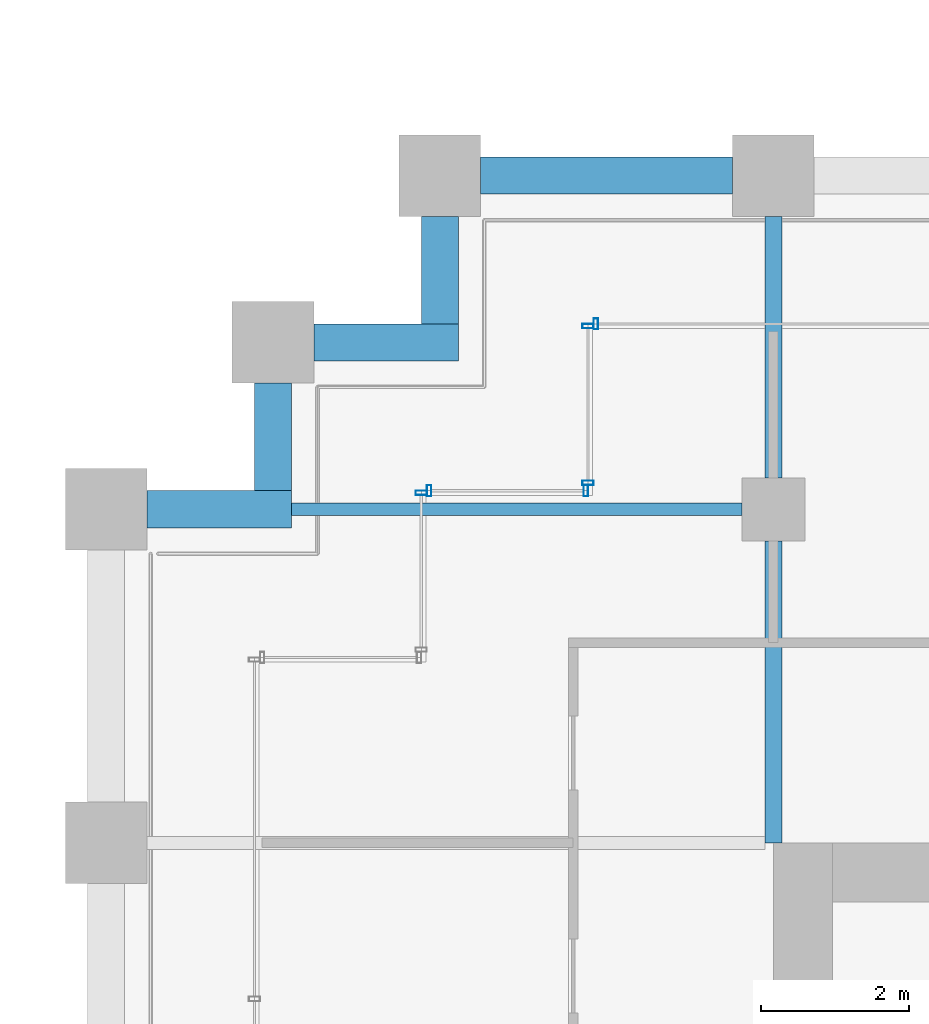
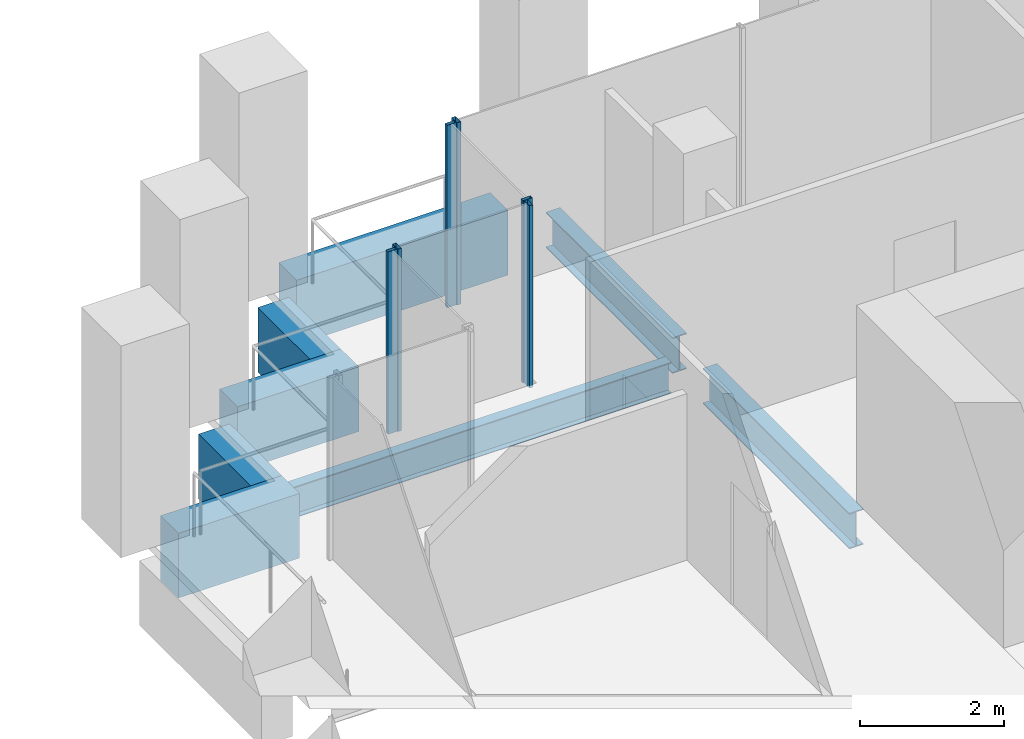
# One storey, part 41 of 56: 8 beams, 6 members, 4 elements without a shape of their own.
"""IFC4 building model written with IfcOpenShell, lengths in metres."""

from ifc_helpers import new_model, si_unit, direction, frame, origin, origin_2d, place, context, subcontext, project, spatial, rectangle, hollow_rectangle, i_section, extrude, material, material_profile, profile_set, type_object, element, aggregate, save


model = new_model("IFC4")

# Units and contexts
model_context = context("Model", 3, precision=1e-05, world=origin(), true_north=direction((0.0, 1.0)))
body_context = subcontext(model_context, "Body", "Model", "MODEL_VIEW")
ifc_project = project(units=[si_unit("LENGTHUNIT", "METRE"), si_unit("AREAUNIT", "SQUARE_METRE"), si_unit("VOLUMEUNIT", "CUBIC_METRE"), si_unit("PLANEANGLEUNIT", "RADIAN"), si_unit("MASSUNIT", "GRAM", prefix="KILO")], contexts=[model_context])

# Site, building, storey
site_placement = place(None, origin())
site = spatial("IfcSite", under=ifc_project, at=site_placement, CompositionType="ELEMENT")
building_placement = place(site_placement, origin())
building = spatial("IfcBuilding", under=site, at=building_placement, Name="Altepetl Exchange Towers", CompositionType="ELEMENT")
storey_placement = place(building_placement, frame((0.0, 0.0, 51.0)))
storey = spatial("IfcBuildingStorey", under=building, at=storey_placement, Name="L11", CompositionType="ELEMENT", Elevation=51.0)

# Beams
ifc_material_1 = material(Name="Steel S355", Category="steel")
ifc_material_profile_1 = material_profile(ifc_material_1, i_section(OverallWidth=0.166015625, OverallDepth=0.529052734375, WebThickness=0.009765625, FlangeThickness=0.013671875, at=origin_2d()), Name="W21X50")
ifc_profile_set_1 = profile_set([ifc_material_profile_1], Name="Steel S355")
beam_type_1 = type_object("IfcBeamType", Name="Floor beam W21X50", PredefinedType="BEAM", material=ifc_profile_set_1)
beam_1_placement = place(storey_placement, frame((97.0, 54.0, -0.41455078125), z_axis=(1.0, 0.0, 0.0), x_axis=(0.0, 1.0, 0.0)))
element("IfcBeam", 1, at=beam_1_placement, inside=storey, type_object=beam_type_1, Name="bm:B:L11:015", PredefinedType="BEAM", context=body_context, shape_type="SweptSolid", body=[
    extrude(i_section(OverallWidth=0.166015625, OverallDepth=0.529052734375, WebThickness=0.009765625, FlangeThickness=0.013671875, at=origin_2d()), origin(), (0.0, 0.0, 1.0), 6.074951171875),
])
ifc_material_profile_2 = material_profile(ifc_material_1, i_section(OverallWidth=0.22802734375, OverallDepth=0.60791015625, WebThickness=0.01123046875, FlangeThickness=0.017333984375, at=origin_2d()), Name="W24X76")
ifc_profile_set_2 = profile_set([ifc_material_profile_2], Name="Steel S355")
beam_type_2 = type_object("IfcBeamType", Name="Girder W24X76", PredefinedType="BEAM", material=ifc_profile_set_2)
beam_2_placement = place(storey_placement, frame((103.5, 57.949951171875, -0.4541015625), z_axis=(0.0, -1.0, 0.0), x_axis=(1.0, 0.0, 0.0)))
element("IfcBeam", 2, at=beam_2_placement, inside=storey, type_object=beam_type_2, Name="gd:B:L11:002", PredefinedType="BEAM", context=body_context, shape_type="SweptSolid", body=[
    extrude(i_section(OverallWidth=0.22802734375, OverallDepth=0.60791015625, WebThickness=0.01123046875, FlangeThickness=0.017333984375, at=origin_2d()), origin(), (0.0, 0.0, 1.0), 3.52490234375),
])
beam_3_placement = place(storey_placement, frame((103.5, 53.574951171875, -0.4541015625), z_axis=(0.0, -1.0, 0.0), x_axis=(1.0, 0.0, 0.0)))
element("IfcBeam", 3, at=beam_3_placement, inside=storey, type_object=beam_type_2, Name="gd:B:L11:003", PredefinedType="BEAM", context=body_context, shape_type="SweptSolid", body=[
    extrude(i_section(OverallWidth=0.22802734375, OverallDepth=0.60791015625, WebThickness=0.01123046875, FlangeThickness=0.017333984375, at=origin_2d()), origin(), (0.0, 0.0, 1.0), 4.074951171875),
])

# Curtain wall, member
ifc_material_2 = material(Name="Aluminium 6063-T6 glazing", Category="aluminium")
curtain_wall_type = type_object("IfcCurtainWallType", Name="Loggia glazing system", PredefinedType="NOTDEFINED", material=ifc_material_2)
curtain_wall_1_placement = place(storey_placement, origin())
curtain_wall_1 = element("IfcCurtainWall", 4, at=curtain_wall_1_placement, inside=storey, type_object=curtain_wall_type, Name="CW1 run", PredefinedType="NOTDEFINED")
ifc_material_3 = material(Name="Aluminium 6063-T6", Category="aluminium")
ifc_material_profile_3 = material_profile(ifc_material_3, hollow_rectangle(XDim=0.06005859375, YDim=0.14990234375, WallThickness=0.0029296875, at=origin_2d()), Name="Mullion 60x150 aluminium")
ifc_profile_set_3 = profile_set([ifc_material_profile_3], Name="Aluminium 6063-T6")
member_type = type_object("IfcMemberType", Name="Mullion 60x150 aluminium", PredefinedType="MULLION", material=ifc_profile_set_3)
member_1_placement = place(storey_placement, frame((101.10498046875, 56.5, 0.0), z_axis=(0.0, 0.0, 1.0), x_axis=(-1.0, 0.0, 0.0)))
member_1 = element("IfcMember", 5, at=member_1_placement, type_object=member_type, Name="MU1 mullion", PredefinedType="MULLION", context=body_context, shape_type="SweptSolid", body=[
    extrude(hollow_rectangle(XDim=0.06005859375, YDim=0.14990234375, WallThickness=0.0029296875, at=origin_2d()), origin(), (0.0, 0.0, 1.0), 3.10009765625),
])
aggregate(curtain_wall_1, [member_1])

# Curtain wall, members
curtain_wall_2_placement = place(storey_placement, origin())
curtain_wall_2 = element("IfcCurtainWall", 6, at=curtain_wall_2_placement, inside=storey, type_object=curtain_wall_type, Name="CW1 run", PredefinedType="NOTDEFINED")
member_2_placement = place(storey_placement, frame((101.0, 56.469970703125, 0.0), z_axis=(0.0, 0.0, 1.0), x_axis=(0.0, -1.0, 0.0)))
member_2 = element("IfcMember", 7, at=member_2_placement, type_object=member_type, Name="MU1 mullion", PredefinedType="MULLION", context=body_context, shape_type="SweptSolid", body=[
    extrude(hollow_rectangle(XDim=0.06005859375, YDim=0.14990234375, WallThickness=0.0029296875, at=origin_2d()), origin(), (0.0, 0.0, 1.0), 3.10009765625),
])
member_3_placement = place(storey_placement, frame((101.0, 54.35498046875, 0.0), z_axis=(0.0, 0.0, 1.0), x_axis=(0.0, -1.0, 0.0)))
member_3 = element("IfcMember", 8, at=member_3_placement, type_object=member_type, Name="MU1 mullion", PredefinedType="MULLION", context=body_context, shape_type="SweptSolid", body=[
    extrude(hollow_rectangle(XDim=0.06005859375, YDim=0.14990234375, WallThickness=0.0029296875, at=origin_2d()), origin(), (0.0, 0.0, 1.0), 3.10009765625),
])
aggregate(curtain_wall_2, [member_2, member_3])

curtain_wall_3_placement = place(storey_placement, origin())
curtain_wall_3 = element("IfcCurtainWall", 9, at=curtain_wall_3_placement, inside=storey, type_object=curtain_wall_type, Name="CW1 run", PredefinedType="NOTDEFINED")
member_4_placement = place(storey_placement, frame((100.969970703125, 54.25, 0.0), z_axis=(0.0, 0.0, 1.0), x_axis=(-1.0, 0.0, 0.0)))
member_4 = element("IfcMember", 10, at=member_4_placement, type_object=member_type, Name="MU1 mullion", PredefinedType="MULLION", context=body_context, shape_type="SweptSolid", body=[
    extrude(hollow_rectangle(XDim=0.06005859375, YDim=0.14990234375, WallThickness=0.0029296875, at=origin_2d()), origin(), (0.0, 0.0, 1.0), 3.10009765625),
])
member_5_placement = place(storey_placement, frame((98.85498046875, 54.25, 0.0), z_axis=(0.0, 0.0, 1.0), x_axis=(-1.0, 0.0, 0.0)))
member_5 = element("IfcMember", 11, at=member_5_placement, type_object=member_type, Name="MU1 mullion", PredefinedType="MULLION", context=body_context, shape_type="SweptSolid", body=[
    extrude(hollow_rectangle(XDim=0.06005859375, YDim=0.14990234375, WallThickness=0.0029296875, at=origin_2d()), origin(), (0.0, 0.0, 1.0), 3.10009765625),
])
aggregate(curtain_wall_3, [member_4, member_5])

# Curtain wall, member
curtain_wall_4_placement = place(storey_placement, origin())
curtain_wall_4 = element("IfcCurtainWall", 12, at=curtain_wall_4_placement, inside=storey, type_object=curtain_wall_type, Name="CW1 run", PredefinedType="NOTDEFINED")
member_6_placement = place(storey_placement, frame((98.75, 54.219970703125, 0.0), z_axis=(0.0, 0.0, 1.0), x_axis=(0.0, -1.0, 0.0)))
member_6 = element("IfcMember", 13, at=member_6_placement, type_object=member_type, Name="MU1 mullion", PredefinedType="MULLION", context=body_context, shape_type="SweptSolid", body=[
    extrude(hollow_rectangle(XDim=0.06005859375, YDim=0.14990234375, WallThickness=0.0029296875, at=origin_2d()), origin(), (0.0, 0.0, 1.0), 3.10009765625),
])
aggregate(curtain_wall_4, [member_6])

# Beams
ifc_material_4 = material(Name="Concrete C50/60 precast with cantera rosa facing", Category="concrete")
ifc_material_profile_4 = material_profile(ifc_material_4, rectangle(XDim=0.5, YDim=1.10009765625, at=origin_2d()), Name="500 x 1100")
ifc_profile_set_4 = profile_set([ifc_material_profile_4], Name="Concrete C50/60 precast with cantera rosa facing")
beam_type_3 = type_object("IfcBeamType", Name="Spandrel beam 500x1100 cantera rosa", PredefinedType="SPANDREL", material=ifc_profile_set_4)
beam_4_placement = place(storey_placement, frame((102.949951171875, 58.5, -0.699951171875), z_axis=(-1.0, 0.0, 0.0), x_axis=(0.0, -1.0, 0.0)))
element("IfcBeam", 14, at=beam_4_placement, inside=storey, type_object=beam_type_3, Name="sp:B:L11:022", PredefinedType="SPANDREL", context=body_context, shape_type="SweptSolid", body=[
    extrude(rectangle(XDim=0.5, YDim=1.10009765625, at=origin_2d()), origin(), (0.0, 0.0, 1.0), 3.39990234375),
])
beam_5_placement = place(storey_placement, frame((99.0, 57.949951171875, -0.699951171875), z_axis=(0.0, -1.0, 0.0), x_axis=(1.0, 0.0, 0.0)))
element("IfcBeam", 15, at=beam_5_placement, inside=storey, type_object=beam_type_3, Name="sp:B:L11:023", PredefinedType="SPANDREL", context=body_context, shape_type="SweptSolid", body=[
    extrude(rectangle(XDim=0.5, YDim=1.10009765625, at=origin_2d()), origin(), (0.0, 0.0, 1.0), 1.449951171875),
])
beam_6_placement = place(storey_placement, frame((99.25, 56.25, -0.699951171875), z_axis=(-1.0, 0.0, 0.0), x_axis=(0.0, -1.0, 0.0)))
element("IfcBeam", 16, at=beam_6_placement, inside=storey, type_object=beam_type_3, Name="sp:B:L11:024", PredefinedType="SPANDREL", context=body_context, shape_type="SweptSolid", body=[
    extrude(rectangle(XDim=0.5, YDim=1.10009765625, at=origin_2d()), origin(), (0.0, 0.0, 1.0), 1.949951171875),
])
beam_7_placement = place(storey_placement, frame((96.75, 55.699951171875, -0.699951171875), z_axis=(0.0, -1.0, 0.0), x_axis=(1.0, 0.0, 0.0)))
element("IfcBeam", 17, at=beam_7_placement, inside=storey, type_object=beam_type_3, Name="sp:B:L11:025", PredefinedType="SPANDREL", context=body_context, shape_type="SweptSolid", body=[
    extrude(rectangle(XDim=0.5, YDim=1.10009765625, at=origin_2d()), origin(), (0.0, 0.0, 1.0), 1.449951171875),
])
beam_8_placement = place(storey_placement, frame((97.0, 54.0, -0.699951171875), z_axis=(-1.0, 0.0, 0.0), x_axis=(0.0, -1.0, 0.0)))
element("IfcBeam", 18, at=beam_8_placement, inside=storey, type_object=beam_type_3, Name="sp:B:L11:026", PredefinedType="SPANDREL", context=body_context, shape_type="SweptSolid", body=[
    extrude(rectangle(XDim=0.5, YDim=1.10009765625, at=origin_2d()), origin(), (0.0, 0.0, 1.0), 1.949951171875),
])

save(model, "model.ifc")
